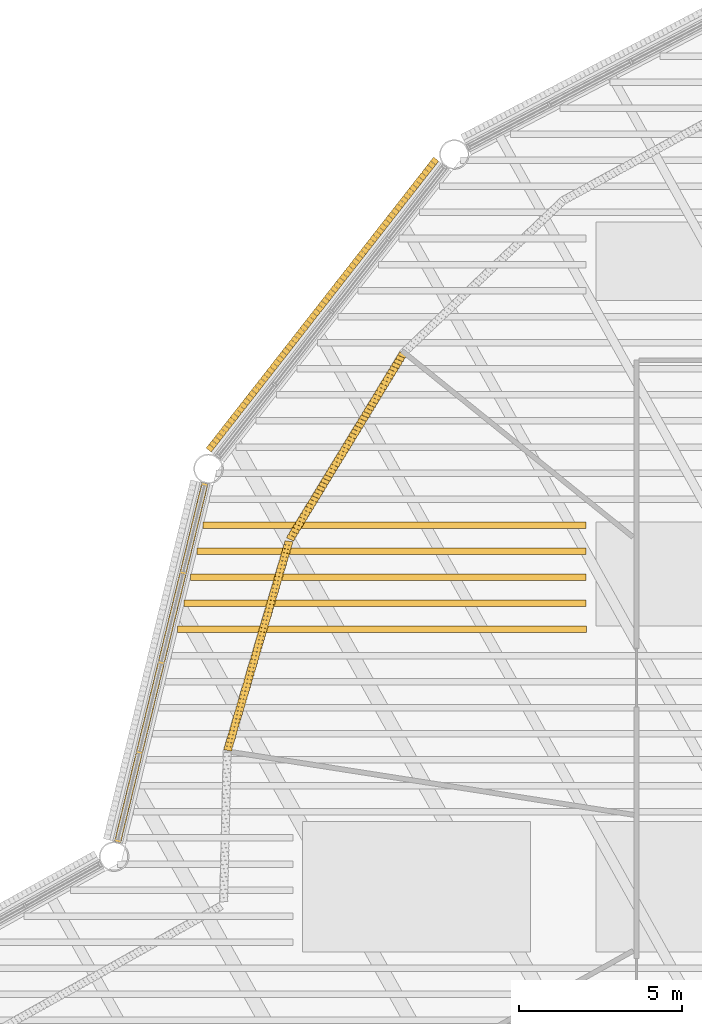
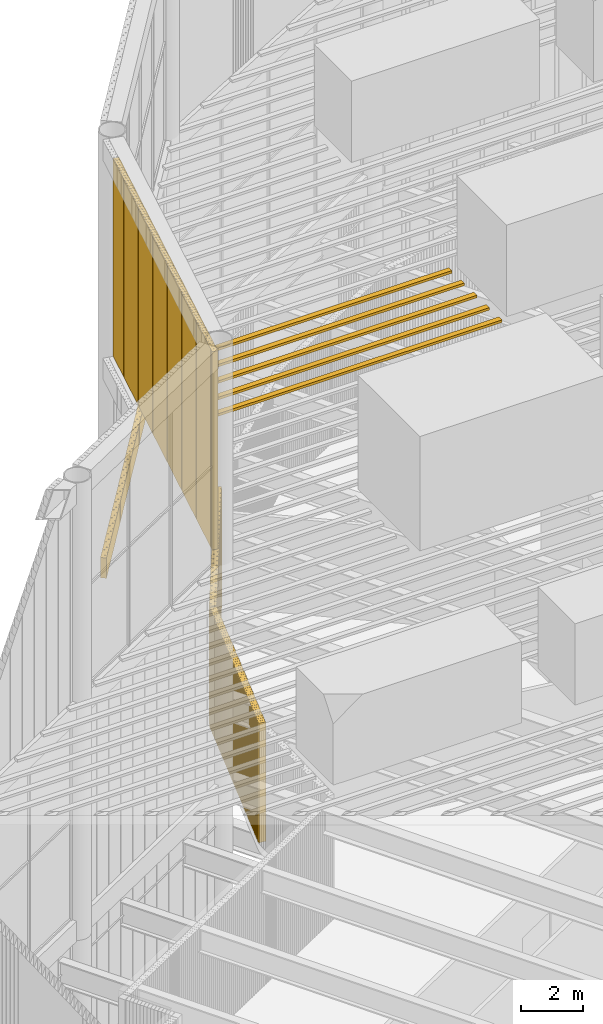
# One storey, part 101 of 117: 7 shading devices, 2 coverings.
"""IFC4 building model written with IfcOpenShell, lengths in metres."""

from ifc_helpers import new_model, si_unit, direction, frame, frame_2d, origin, origin_2d, place, context, subcontext, project, spatial, rectangle, composite_profile, extrude, material, type_object, element, save


model = new_model("IFC4")

# Units and contexts
model_context = context("Model", 3, precision=1e-05, world=origin(), true_north=direction((0.0, 1.0)))
body_context = subcontext(model_context, "Body", "Model", "MODEL_VIEW")
ifc_project = project(units=[si_unit("LENGTHUNIT", "METRE"), si_unit("AREAUNIT", "SQUARE_METRE"), si_unit("VOLUMEUNIT", "CUBIC_METRE"), si_unit("PLANEANGLEUNIT", "RADIAN"), si_unit("MASSUNIT", "GRAM", prefix="KILO")], contexts=[model_context])

# Site, building, storey
site_placement = place(None, origin())
site = spatial("IfcSite", under=ifc_project, at=site_placement, CompositionType="ELEMENT")
building_placement = place(site_placement, origin())
building = spatial("IfcBuilding", under=site, at=building_placement, Name="Tarsis Ring Headquarters", CompositionType="ELEMENT")
storey_placement = place(building_placement, frame((0.0, 0.0, 403.60009765625)))
storey = spatial("IfcBuildingStorey", under=building, at=storey_placement, Name="L95", CompositionType="ELEMENT", Elevation=403.60009765625)

# Coverings
ifc_material_1 = material(Name="Terracotta louvre", Category="masonry")
covering_type = type_object("IfcCoveringType", Name="Crown louvre fin", PredefinedType="CLADDING", material=ifc_material_1)
covering_1_placement = place(storey_placement, frame((-19.1533203125, 22.17138671875, 5.0), z_axis=(0.0, 0.0, 1.0), x_axis=(-0.615999310746, -0.787752816249, 0.0)))
element("IfcCovering", 1, at=covering_1_placement, inside=storey, type_object=covering_type, Name="Crown louvre fascia R12", PredefinedType="CLADDING", context=body_context, shape_type="SweptSolid", body=[
    extrude(composite_profile([rectangle(XDim=0.14501953125, YDim=0.199951171875, at=frame_2d((0.072509765625, 0.0))), rectangle(XDim=0.14501953125, YDim=0.199951171875, at=frame_2d((0.2236328125, 0.0))), rectangle(XDim=0.14501953125, YDim=0.199951171875, at=frame_2d((0.375, 0.0))), rectangle(XDim=0.14501953125, YDim=0.199951171875, at=frame_2d((0.526123046875, 0.0))), rectangle(XDim=0.14501953125, YDim=0.199951171875, at=frame_2d((0.677490234375, 0.0))), rectangle(XDim=0.14501953125, YDim=0.199951171875, at=frame_2d((0.82861328125, 0.0))), rectangle(XDim=0.14501953125, YDim=0.199951171875, at=frame_2d((0.979736328125, 0.0))), rectangle(XDim=0.14501953125, YDim=0.199951171875, at=frame_2d((1.131103515625, 0.0))), rectangle(XDim=0.14501953125, YDim=0.199951171875, at=frame_2d((1.2822265625, 0.0))), rectangle(XDim=0.14501953125, YDim=0.199951171875, at=frame_2d((1.433349609375, 0.0))), rectangle(XDim=0.14501953125, YDim=0.199951171875, at=frame_2d((1.584716796875, 0.0))), rectangle(XDim=0.14501953125, YDim=0.199951171875, at=frame_2d((1.73583984375, 0.0))), rectangle(XDim=0.14501953125, YDim=0.199951171875, at=frame_2d((1.88720703125, 0.0))), rectangle(XDim=0.14501953125, YDim=0.199951171875, at=frame_2d((2.038330078125, 0.0))), rectangle(XDim=0.14501953125, YDim=0.199951171875, at=frame_2d((2.189453125, 0.0))), rectangle(XDim=0.14501953125, YDim=0.199951171875, at=frame_2d((2.3408203125, 0.0))), rectangle(XDim=0.14501953125, YDim=0.199951171875, at=frame_2d((2.491943359375, 0.0))), rectangle(XDim=0.14501953125, YDim=0.199951171875, at=frame_2d((2.64306640625, 0.0))), rectangle(XDim=0.14501953125, YDim=0.199951171875, at=frame_2d((2.79443359375, 0.0))), rectangle(XDim=0.14501953125, YDim=0.199951171875, at=frame_2d((2.945556640625, 0.0))), rectangle(XDim=0.14501953125, YDim=0.199951171875, at=frame_2d((3.096923828125, 0.0))), rectangle(XDim=0.14501953125, YDim=0.199951171875, at=frame_2d((3.248046875, 0.0))), rectangle(XDim=0.14501953125, YDim=0.199951171875, at=frame_2d((3.399169921875, 0.0))), rectangle(XDim=0.14501953125, YDim=0.199951171875, at=frame_2d((3.550537109375, 0.0))), rectangle(XDim=0.14501953125, YDim=0.199951171875, at=frame_2d((3.70166015625, 0.0))), rectangle(XDim=0.14501953125, YDim=0.199951171875, at=frame_2d((3.852783203125, 0.0))), rectangle(XDim=0.14501953125, YDim=0.199951171875, at=frame_2d((4.004150390625, 0.0))), rectangle(XDim=0.14501953125, YDim=0.199951171875, at=frame_2d((4.1552734375, 0.0))), rectangle(XDim=0.14501953125, YDim=0.199951171875, at=frame_2d((4.306640625, 0.0))), rectangle(XDim=0.14501953125, YDim=0.199951171875, at=frame_2d((4.457763671875, 0.0))), rectangle(XDim=0.14501953125, YDim=0.199951171875, at=frame_2d((4.60888671875, 0.0))), rectangle(XDim=0.14501953125, YDim=0.199951171875, at=frame_2d((4.76025390625, 0.0))), rectangle(XDim=0.14501953125, YDim=0.199951171875, at=frame_2d((4.911376953125, 0.0))), rectangle(XDim=0.14501953125, YDim=0.199951171875, at=frame_2d((5.0625, 0.0))), rectangle(XDim=0.14501953125, YDim=0.199951171875, at=frame_2d((5.2138671875, 0.0))), rectangle(XDim=0.14501953125, YDim=0.199951171875, at=frame_2d((5.364990234375, 0.0))), rectangle(XDim=0.14501953125, YDim=0.199951171875, at=frame_2d((5.516357421875, 0.0))), rectangle(XDim=0.14501953125, YDim=0.199951171875, at=frame_2d((5.66748046875, 0.0))), rectangle(XDim=0.14501953125, YDim=0.199951171875, at=frame_2d((5.818603515625, 0.0))), rectangle(XDim=0.14501953125, YDim=0.199951171875, at=frame_2d((5.969970703125, 0.0))), rectangle(XDim=0.14501953125, YDim=0.199951171875, at=frame_2d((6.12109375, 0.0))), rectangle(XDim=0.14501953125, YDim=0.199951171875, at=frame_2d((6.2724609375, 0.0))), rectangle(XDim=0.14501953125, YDim=0.199951171875, at=frame_2d((6.423583984375, 0.0))), rectangle(XDim=0.14501953125, YDim=0.199951171875, at=frame_2d((6.57470703125, 0.0))), rectangle(XDim=0.14501953125, YDim=0.199951171875, at=frame_2d((6.72607421875, 0.0))), rectangle(XDim=0.14501953125, YDim=0.199951171875, at=frame_2d((6.877197265625, 0.0))), rectangle(XDim=0.14501953125, YDim=0.199951171875, at=frame_2d((7.0283203125, 0.0))), rectangle(XDim=0.14501953125, YDim=0.199951171875, at=frame_2d((7.1796875, 0.0))), rectangle(XDim=0.14501953125, YDim=0.199951171875, at=frame_2d((7.330810546875, 0.0))), rectangle(XDim=0.14501953125, YDim=0.199951171875, at=frame_2d((7.482177734375, 0.0))), rectangle(XDim=0.14501953125, YDim=0.199951171875, at=frame_2d((7.63330078125, 0.0))), rectangle(XDim=0.14501953125, YDim=0.199951171875, at=frame_2d((7.784423828125, 0.0))), rectangle(XDim=0.14501953125, YDim=0.199951171875, at=frame_2d((7.935791015625, 0.0))), rectangle(XDim=0.14501953125, YDim=0.199951171875, at=frame_2d((8.0869140625, 0.0))), rectangle(XDim=0.14501953125, YDim=0.199951171875, at=frame_2d((8.238037109375, 0.0))), rectangle(XDim=0.14501953125, YDim=0.199951171875, at=frame_2d((8.389404296875, 0.0))), rectangle(XDim=0.14501953125, YDim=0.199951171875, at=frame_2d((8.54052734375, 0.0))), rectangle(XDim=0.14501953125, YDim=0.199951171875, at=frame_2d((8.69189453125, 0.0))), rectangle(XDim=0.14501953125, YDim=0.199951171875, at=frame_2d((8.843017578125, 0.0))), rectangle(XDim=0.14501953125, YDim=0.199951171875, at=frame_2d((8.994140625, 0.0))), rectangle(XDim=0.14501953125, YDim=0.199951171875, at=frame_2d((9.1455078125, 0.0))), rectangle(XDim=0.14501953125, YDim=0.199951171875, at=frame_2d((9.296630859375, 0.0))), rectangle(XDim=0.14501953125, YDim=0.199951171875, at=frame_2d((9.44775390625, 0.0))), rectangle(XDim=0.14501953125, YDim=0.199951171875, at=frame_2d((9.59912109375, 0.0))), rectangle(XDim=0.14501953125, YDim=0.199951171875, at=frame_2d((9.750244140625, 0.0))), rectangle(XDim=0.14501953125, YDim=0.199951171875, at=frame_2d((9.901611328125, 0.0))), rectangle(XDim=0.14501953125, YDim=0.199951171875, at=frame_2d((10.052734375, 0.0))), rectangle(XDim=0.14501953125, YDim=0.199951171875, at=frame_2d((10.203857421875, 0.0))), rectangle(XDim=0.14501953125, YDim=0.199951171875, at=frame_2d((10.355224609375, 0.0))), rectangle(XDim=0.14501953125, YDim=0.199951171875, at=frame_2d((10.50634765625, 0.0))), rectangle(XDim=0.14501953125, YDim=0.199951171875, at=frame_2d((10.657470703125, 0.0))), rectangle(XDim=0.14501953125, YDim=0.199951171875, at=frame_2d((10.808837890625, 0.0))), rectangle(XDim=0.14501953125, YDim=0.199951171875, at=frame_2d((10.9599609375, 0.0))), rectangle(XDim=0.14501953125, YDim=0.199951171875, at=frame_2d((11.111328125, 0.0))), rectangle(XDim=0.14501953125, YDim=0.199951171875, at=frame_2d((11.262451171875, 0.0)))]), origin(), (0.0, 0.0, 1.0), 0.7998046875),
])
covering_2_placement = place(storey_placement, frame((-26.24951171875, 12.22265625, 14.39990234375), z_axis=(0.0, 0.0, 1.0), x_axis=(-0.236521851509, -0.971632886036, 0.0)))
element("IfcCovering", 2, at=covering_2_placement, inside=storey, type_object=covering_type, Name="Crown louvre U13", PredefinedType="CLADDING", context=body_context, shape_type="SweptSolid", body=[
    extrude(composite_profile([rectangle(XDim=0.14501953125, YDim=0.199951171875, at=frame_2d((0.072509765625, 0.0))), rectangle(XDim=0.14501953125, YDim=0.199951171875, at=frame_2d((0.2236328125, 0.0))), rectangle(XDim=0.14501953125, YDim=0.199951171875, at=frame_2d((0.375, 0.0))), rectangle(XDim=0.14501953125, YDim=0.199951171875, at=frame_2d((0.526123046875, 0.0))), rectangle(XDim=0.14501953125, YDim=0.199951171875, at=frame_2d((0.677490234375, 0.0))), rectangle(XDim=0.14501953125, YDim=0.199951171875, at=frame_2d((0.82861328125, 0.0))), rectangle(XDim=0.14501953125, YDim=0.199951171875, at=frame_2d((0.979736328125, 0.0))), rectangle(XDim=0.14501953125, YDim=0.199951171875, at=frame_2d((1.131103515625, 0.0))), rectangle(XDim=0.14501953125, YDim=0.199951171875, at=frame_2d((1.2822265625, 0.0))), rectangle(XDim=0.14501953125, YDim=0.199951171875, at=frame_2d((1.433349609375, 0.0))), rectangle(XDim=0.14501953125, YDim=0.199951171875, at=frame_2d((1.584716796875, 0.0))), rectangle(XDim=0.14501953125, YDim=0.199951171875, at=frame_2d((1.73583984375, 0.0))), rectangle(XDim=0.14501953125, YDim=0.199951171875, at=frame_2d((1.88720703125, 0.0))), rectangle(XDim=0.14501953125, YDim=0.199951171875, at=frame_2d((2.038330078125, 0.0))), rectangle(XDim=0.14501953125, YDim=0.199951171875, at=frame_2d((2.189453125, 0.0))), rectangle(XDim=0.14501953125, YDim=0.199951171875, at=frame_2d((2.3408203125, 0.0))), rectangle(XDim=0.14501953125, YDim=0.199951171875, at=frame_2d((2.491943359375, 0.0))), rectangle(XDim=0.14501953125, YDim=0.199951171875, at=frame_2d((2.64306640625, 0.0))), rectangle(XDim=0.14501953125, YDim=0.199951171875, at=frame_2d((2.79443359375, 0.0))), rectangle(XDim=0.14501953125, YDim=0.199951171875, at=frame_2d((2.945556640625, 0.0))), rectangle(XDim=0.14501953125, YDim=0.199951171875, at=frame_2d((3.096923828125, 0.0))), rectangle(XDim=0.14501953125, YDim=0.199951171875, at=frame_2d((3.248046875, 0.0))), rectangle(XDim=0.14501953125, YDim=0.199951171875, at=frame_2d((3.399169921875, 0.0))), rectangle(XDim=0.14501953125, YDim=0.199951171875, at=frame_2d((3.550537109375, 0.0))), rectangle(XDim=0.14501953125, YDim=0.199951171875, at=frame_2d((3.70166015625, 0.0))), rectangle(XDim=0.14501953125, YDim=0.199951171875, at=frame_2d((3.852783203125, 0.0))), rectangle(XDim=0.14501953125, YDim=0.199951171875, at=frame_2d((4.004150390625, 0.0))), rectangle(XDim=0.14501953125, YDim=0.199951171875, at=frame_2d((4.1552734375, 0.0))), rectangle(XDim=0.14501953125, YDim=0.199951171875, at=frame_2d((4.306640625, 0.0))), rectangle(XDim=0.14501953125, YDim=0.199951171875, at=frame_2d((4.457763671875, 0.0))), rectangle(XDim=0.14501953125, YDim=0.199951171875, at=frame_2d((4.60888671875, 0.0))), rectangle(XDim=0.14501953125, YDim=0.199951171875, at=frame_2d((4.76025390625, 0.0))), rectangle(XDim=0.14501953125, YDim=0.199951171875, at=frame_2d((4.911376953125, 0.0))), rectangle(XDim=0.14501953125, YDim=0.199951171875, at=frame_2d((5.0625, 0.0))), rectangle(XDim=0.14501953125, YDim=0.199951171875, at=frame_2d((5.2138671875, 0.0))), rectangle(XDim=0.14501953125, YDim=0.199951171875, at=frame_2d((5.364990234375, 0.0))), rectangle(XDim=0.14501953125, YDim=0.199951171875, at=frame_2d((5.516357421875, 0.0))), rectangle(XDim=0.14501953125, YDim=0.199951171875, at=frame_2d((5.66748046875, 0.0))), rectangle(XDim=0.14501953125, YDim=0.199951171875, at=frame_2d((5.818603515625, 0.0))), rectangle(XDim=0.14501953125, YDim=0.199951171875, at=frame_2d((5.969970703125, 0.0))), rectangle(XDim=0.14501953125, YDim=0.199951171875, at=frame_2d((6.12109375, 0.0))), rectangle(XDim=0.14501953125, YDim=0.199951171875, at=frame_2d((6.2724609375, 0.0))), rectangle(XDim=0.14501953125, YDim=0.199951171875, at=frame_2d((6.423583984375, 0.0))), rectangle(XDim=0.14501953125, YDim=0.199951171875, at=frame_2d((6.57470703125, 0.0))), rectangle(XDim=0.14501953125, YDim=0.199951171875, at=frame_2d((6.72607421875, 0.0))), rectangle(XDim=0.14501953125, YDim=0.199951171875, at=frame_2d((6.877197265625, 0.0))), rectangle(XDim=0.14501953125, YDim=0.199951171875, at=frame_2d((7.0283203125, 0.0))), rectangle(XDim=0.14501953125, YDim=0.199951171875, at=frame_2d((7.1796875, 0.0))), rectangle(XDim=0.14501953125, YDim=0.199951171875, at=frame_2d((7.330810546875, 0.0))), rectangle(XDim=0.14501953125, YDim=0.199951171875, at=frame_2d((7.482177734375, 0.0))), rectangle(XDim=0.14501953125, YDim=0.199951171875, at=frame_2d((7.63330078125, 0.0))), rectangle(XDim=0.14501953125, YDim=0.199951171875, at=frame_2d((7.784423828125, 0.0))), rectangle(XDim=0.14501953125, YDim=0.199951171875, at=frame_2d((7.935791015625, 0.0))), rectangle(XDim=0.14501953125, YDim=0.199951171875, at=frame_2d((8.0869140625, 0.0))), rectangle(XDim=0.14501953125, YDim=0.199951171875, at=frame_2d((8.238037109375, 0.0))), rectangle(XDim=0.14501953125, YDim=0.199951171875, at=frame_2d((8.389404296875, 0.0))), rectangle(XDim=0.14501953125, YDim=0.199951171875, at=frame_2d((8.54052734375, 0.0))), rectangle(XDim=0.14501953125, YDim=0.199951171875, at=frame_2d((8.69189453125, 0.0))), rectangle(XDim=0.14501953125, YDim=0.199951171875, at=frame_2d((8.843017578125, 0.0))), rectangle(XDim=0.14501953125, YDim=0.199951171875, at=frame_2d((8.994140625, 0.0))), rectangle(XDim=0.14501953125, YDim=0.199951171875, at=frame_2d((9.1455078125, 0.0))), rectangle(XDim=0.14501953125, YDim=0.199951171875, at=frame_2d((9.296630859375, 0.0))), rectangle(XDim=0.14501953125, YDim=0.199951171875, at=frame_2d((9.44775390625, 0.0))), rectangle(XDim=0.14501953125, YDim=0.199951171875, at=frame_2d((9.59912109375, 0.0))), rectangle(XDim=0.14501953125, YDim=0.199951171875, at=frame_2d((9.750244140625, 0.0))), rectangle(XDim=0.14501953125, YDim=0.199951171875, at=frame_2d((9.901611328125, 0.0))), rectangle(XDim=0.14501953125, YDim=0.199951171875, at=frame_2d((10.052734375, 0.0))), rectangle(XDim=0.14501953125, YDim=0.199951171875, at=frame_2d((10.203857421875, 0.0))), rectangle(XDim=0.14501953125, YDim=0.199951171875, at=frame_2d((10.355224609375, 0.0))), rectangle(XDim=0.14501953125, YDim=0.199951171875, at=frame_2d((10.50634765625, 0.0))), rectangle(XDim=0.14501953125, YDim=0.199951171875, at=frame_2d((10.657470703125, 0.0))), rectangle(XDim=0.14501953125, YDim=0.199951171875, at=frame_2d((10.808837890625, 0.0))), rectangle(XDim=0.14501953125, YDim=0.199951171875, at=frame_2d((10.9599609375, 0.0))), rectangle(XDim=0.14501953125, YDim=0.199951171875, at=frame_2d((11.111328125, 0.0))), rectangle(XDim=0.14501953125, YDim=0.199951171875, at=frame_2d((11.262451171875, 0.0)))]), origin(), (0.0, 0.0, 1.0), 7.800048828125),
])

# Shading devices
ifc_material_2 = material(Name="Aluminium louvre", Category="aluminium")
shading_device_type_1 = type_object("IfcShadingDeviceType", Name="Crown roof louvre blade", PredefinedType="USERDEFINED", material=ifc_material_2)
shading_device_1_placement = place(storey_placement, frame((-20.8095703125, 7.73583984375, 14.39990234375), z_axis=(0.0, 0.0, 1.0), x_axis=(1.0, 0.0, 0.0)))
element("IfcShadingDevice", 3, at=shading_device_1_placement, inside=storey, type_object=shading_device_type_1, Name="Crown roof louvre 81", ObjectType="Crown roof louvre", PredefinedType="USERDEFINED", context=body_context, shape_type="SweptSolid", body=[
    extrude(rectangle(XDim=12.549560546875, YDim=0.199951171875, at=origin_2d()), origin(), (0.0, 0.0, 1.0), 0.10009765625),
])
shading_device_2_placement = place(storey_placement, frame((-20.720947265625, 8.535888671875, 14.39990234375), z_axis=(0.0, 0.0, 1.0), x_axis=(1.0, 0.0, 0.0)))
element("IfcShadingDevice", 4, at=shading_device_2_placement, inside=storey, type_object=shading_device_type_1, Name="Crown roof louvre 83", ObjectType="Crown roof louvre", PredefinedType="USERDEFINED", context=body_context, shape_type="SweptSolid", body=[
    extrude(rectangle(XDim=12.337158203125, YDim=0.199951171875, at=origin_2d()), origin(), (0.0, 0.0, 1.0), 0.10009765625),
])
shading_device_3_placement = place(storey_placement, frame((-20.62353515625, 9.335693359375, 14.39990234375), z_axis=(0.0, 0.0, 1.0), x_axis=(1.0, 0.0, 0.0)))
element("IfcShadingDevice", 5, at=shading_device_3_placement, inside=storey, type_object=shading_device_type_1, Name="Crown roof louvre 85", ObjectType="Crown roof louvre", PredefinedType="USERDEFINED", context=body_context, shape_type="SweptSolid", body=[
    extrude(rectangle(XDim=12.142578125, YDim=0.199951171875, at=origin_2d()), origin(), (0.0, 0.0, 1.0), 0.10009765625),
])
shading_device_4_placement = place(storey_placement, frame((-20.5263671875, 10.1357421875, 14.39990234375), z_axis=(0.0, 0.0, 1.0), x_axis=(1.0, 0.0, 0.0)))
element("IfcShadingDevice", 6, at=shading_device_4_placement, inside=storey, type_object=shading_device_type_1, Name="Crown roof louvre 87", ObjectType="Crown roof louvre", PredefinedType="USERDEFINED", context=body_context, shape_type="SweptSolid", body=[
    extrude(rectangle(XDim=11.94775390625, YDim=0.199951171875, at=origin_2d()), origin(), (0.0, 0.0, 1.0), 0.10009765625),
])
shading_device_5_placement = place(storey_placement, frame((-20.428955078125, 10.935791015625, 14.39990234375), z_axis=(0.0, 0.0, 1.0), x_axis=(1.0, 0.0, 0.0)))
element("IfcShadingDevice", 7, at=shading_device_5_placement, inside=storey, type_object=shading_device_type_1, Name="Crown roof louvre 89", ObjectType="Crown roof louvre", PredefinedType="USERDEFINED", context=body_context, shape_type="SweptSolid", body=[
    extrude(rectangle(XDim=11.7529296875, YDim=0.199951171875, at=origin_2d()), origin(), (0.0, 0.0, 1.0), 0.10009765625),
])
shading_device_type_2 = type_object("IfcShadingDeviceType", Name="Plant louvre fin", PredefinedType="USERDEFINED", material=ifc_material_2)
shading_device_6_placement = place(storey_placement, frame((-20.150390625, 16.226806640625, 0.0), z_axis=(0.0, 0.0, 1.0), x_axis=(-0.520703181752, -0.85373383699, 0.0)))
element("IfcShadingDevice", 8, at=shading_device_6_placement, inside=storey, type_object=shading_device_type_2, Name="Louvre L95-28", ObjectType="Louvre", PredefinedType="USERDEFINED", context=body_context, shape_type="SweptSolid", body=[
    extrude(composite_profile([rectangle(XDim=0.1201171875, YDim=0.239990234375, at=frame_2d((0.076171875, 0.0), x_axis=(0.990268068742, 0.13917310096))), rectangle(XDim=0.1201171875, YDim=0.239990234375, at=frame_2d((0.202392578125, 0.0), x_axis=(0.990268068742, 0.13917310096))), rectangle(XDim=0.1201171875, YDim=0.239990234375, at=frame_2d((0.328857421875, 0.0), x_axis=(0.990268068742, 0.13917310096))), rectangle(XDim=0.1201171875, YDim=0.239990234375, at=frame_2d((0.455078125, 0.0), x_axis=(0.990268068742, 0.13917310096))), rectangle(XDim=0.1201171875, YDim=0.239990234375, at=frame_2d((0.58154296875, 0.0), x_axis=(0.990268068742, 0.13917310096))), rectangle(XDim=0.1201171875, YDim=0.239990234375, at=frame_2d((0.707763671875, 0.0), x_axis=(0.990268068742, 0.13917310096))), rectangle(XDim=0.1201171875, YDim=0.239990234375, at=frame_2d((0.834228515625, 0.0), x_axis=(0.990268068742, 0.13917310096))), rectangle(XDim=0.1201171875, YDim=0.239990234375, at=frame_2d((0.96044921875, 0.0), x_axis=(0.990268068742, 0.13917310096))), rectangle(XDim=0.1201171875, YDim=0.239990234375, at=frame_2d((1.0869140625, 0.0), x_axis=(0.990268068742, 0.13917310096))), rectangle(XDim=0.1201171875, YDim=0.239990234375, at=frame_2d((1.213134765625, 0.0), x_axis=(0.990268068742, 0.13917310096))), rectangle(XDim=0.1201171875, YDim=0.239990234375, at=frame_2d((1.339599609375, 0.0), x_axis=(0.990268068742, 0.13917310096))), rectangle(XDim=0.1201171875, YDim=0.239990234375, at=frame_2d((1.4658203125, 0.0), x_axis=(0.990268068742, 0.13917310096))), rectangle(XDim=0.1201171875, YDim=0.239990234375, at=frame_2d((1.59228515625, 0.0), x_axis=(0.990268068742, 0.13917310096))), rectangle(XDim=0.1201171875, YDim=0.239990234375, at=frame_2d((1.718505859375, 0.0), x_axis=(0.990268068742, 0.13917310096))), rectangle(XDim=0.1201171875, YDim=0.239990234375, at=frame_2d((1.8447265625, 0.0), x_axis=(0.990268068742, 0.13917310096))), rectangle(XDim=0.1201171875, YDim=0.239990234375, at=frame_2d((1.97119140625, 0.0), x_axis=(0.990268068742, 0.13917310096))), rectangle(XDim=0.1201171875, YDim=0.239990234375, at=frame_2d((2.097412109375, 0.0), x_axis=(0.990268068742, 0.13917310096))), rectangle(XDim=0.1201171875, YDim=0.239990234375, at=frame_2d((2.223876953125, 0.0), x_axis=(0.990268068742, 0.13917310096))), rectangle(XDim=0.1201171875, YDim=0.239990234375, at=frame_2d((2.35009765625, 0.0), x_axis=(0.990268068742, 0.13917310096))), rectangle(XDim=0.1201171875, YDim=0.239990234375, at=frame_2d((2.4765625, 0.0), x_axis=(0.990268068742, 0.13917310096))), rectangle(XDim=0.1201171875, YDim=0.239990234375, at=frame_2d((2.602783203125, 0.0), x_axis=(0.990268068742, 0.13917310096))), rectangle(XDim=0.1201171875, YDim=0.239990234375, at=frame_2d((2.729248046875, 0.0), x_axis=(0.990268068742, 0.13917310096))), rectangle(XDim=0.1201171875, YDim=0.239990234375, at=frame_2d((2.85546875, 0.0), x_axis=(0.990268068742, 0.13917310096))), rectangle(XDim=0.1201171875, YDim=0.239990234375, at=frame_2d((2.98193359375, 0.0), x_axis=(0.990268068742, 0.13917310096))), rectangle(XDim=0.1201171875, YDim=0.239990234375, at=frame_2d((3.108154296875, 0.0), x_axis=(0.990268068742, 0.13917310096))), rectangle(XDim=0.1201171875, YDim=0.239990234375, at=frame_2d((3.234619140625, 0.0), x_axis=(0.990268068742, 0.13917310096))), rectangle(XDim=0.1201171875, YDim=0.239990234375, at=frame_2d((3.36083984375, 0.0), x_axis=(0.990268068742, 0.13917310096))), rectangle(XDim=0.1201171875, YDim=0.239990234375, at=frame_2d((3.487060546875, 0.0), x_axis=(0.990268068742, 0.13917310096))), rectangle(XDim=0.1201171875, YDim=0.239990234375, at=frame_2d((3.613525390625, 0.0), x_axis=(0.990268068742, 0.13917310096))), rectangle(XDim=0.1201171875, YDim=0.239990234375, at=frame_2d((3.73974609375, 0.0), x_axis=(0.990268068742, 0.13917310096))), rectangle(XDim=0.1201171875, YDim=0.239990234375, at=frame_2d((3.8662109375, 0.0), x_axis=(0.990268068742, 0.13917310096))), rectangle(XDim=0.1201171875, YDim=0.239990234375, at=frame_2d((3.992431640625, 0.0), x_axis=(0.990268068742, 0.13917310096))), rectangle(XDim=0.1201171875, YDim=0.239990234375, at=frame_2d((4.118896484375, 0.0), x_axis=(0.990268068742, 0.13917310096))), rectangle(XDim=0.1201171875, YDim=0.239990234375, at=frame_2d((4.2451171875, 0.0), x_axis=(0.990268068742, 0.13917310096))), rectangle(XDim=0.1201171875, YDim=0.239990234375, at=frame_2d((4.37158203125, 0.0), x_axis=(0.990268068742, 0.13917310096))), rectangle(XDim=0.1201171875, YDim=0.239990234375, at=frame_2d((4.497802734375, 0.0), x_axis=(0.990268068742, 0.13917310096))), rectangle(XDim=0.1201171875, YDim=0.239990234375, at=frame_2d((4.624267578125, 0.0), x_axis=(0.990268068742, 0.13917310096))), rectangle(XDim=0.1201171875, YDim=0.239990234375, at=frame_2d((4.75048828125, 0.0), x_axis=(0.990268068742, 0.13917310096))), rectangle(XDim=0.1201171875, YDim=0.239990234375, at=frame_2d((4.876953125, 0.0), x_axis=(0.990268068742, 0.13917310096))), rectangle(XDim=0.1201171875, YDim=0.239990234375, at=frame_2d((5.003173828125, 0.0), x_axis=(0.990268068742, 0.13917310096))), rectangle(XDim=0.1201171875, YDim=0.239990234375, at=frame_2d((5.12939453125, 0.0), x_axis=(0.990268068742, 0.13917310096))), rectangle(XDim=0.1201171875, YDim=0.239990234375, at=frame_2d((5.255859375, 0.0), x_axis=(0.990268068742, 0.13917310096))), rectangle(XDim=0.1201171875, YDim=0.239990234375, at=frame_2d((5.382080078125, 0.0), x_axis=(0.990268068742, 0.13917310096))), rectangle(XDim=0.1201171875, YDim=0.239990234375, at=frame_2d((5.508544921875, 0.0), x_axis=(0.990268068742, 0.13917310096))), rectangle(XDim=0.1201171875, YDim=0.239990234375, at=frame_2d((5.634765625, 0.0), x_axis=(0.990268068742, 0.13917310096))), rectangle(XDim=0.1201171875, YDim=0.239990234375, at=frame_2d((5.76123046875, 0.0), x_axis=(0.990268068742, 0.13917310096))), rectangle(XDim=0.1201171875, YDim=0.239990234375, at=frame_2d((5.887451171875, 0.0), x_axis=(0.990268068742, 0.13917310096))), rectangle(XDim=0.1201171875, YDim=0.239990234375, at=frame_2d((6.013916015625, 0.0), x_axis=(0.990268068742, 0.13917310096))), rectangle(XDim=0.1201171875, YDim=0.239990234375, at=frame_2d((6.14013671875, 0.0), x_axis=(0.990268068742, 0.13917310096))), rectangle(XDim=0.1201171875, YDim=0.239990234375, at=frame_2d((6.2666015625, 0.0), x_axis=(0.990268068742, 0.13917310096))), rectangle(XDim=0.1201171875, YDim=0.239990234375, at=frame_2d((6.392822265625, 0.0), x_axis=(0.990268068742, 0.13917310096))), rectangle(XDim=0.1201171875, YDim=0.239990234375, at=frame_2d((6.519287109375, 0.0), x_axis=(0.990268068742, 0.13917310096))), rectangle(XDim=0.1201171875, YDim=0.239990234375, at=frame_2d((6.6455078125, 0.0), x_axis=(0.990268068742, 0.13917310096)))]), origin(), (0.0, 0.0, 1.0), 4.699951171875),
])
shading_device_7_placement = place(storey_placement, frame((-23.66357421875, 10.45849609375, 0.0), z_axis=(0.0, 0.0, 1.0), x_axis=(-0.282009371254, -0.959427554393, 0.0)))
element("IfcShadingDevice", 9, at=shading_device_7_placement, inside=storey, type_object=shading_device_type_2, Name="Louvre L95-29", ObjectType="Louvre", PredefinedType="USERDEFINED", context=body_context, shape_type="SweptSolid", body=[
    extrude(composite_profile([rectangle(XDim=0.1201171875, YDim=0.239990234375, at=frame_2d((0.076171875, 0.0), x_axis=(0.990268068742, 0.13917310096))), rectangle(XDim=0.1201171875, YDim=0.239990234375, at=frame_2d((0.202392578125, 0.0), x_axis=(0.990268068742, 0.13917310096))), rectangle(XDim=0.1201171875, YDim=0.239990234375, at=frame_2d((0.328857421875, 0.0), x_axis=(0.990268068742, 0.13917310096))), rectangle(XDim=0.1201171875, YDim=0.239990234375, at=frame_2d((0.455078125, 0.0), x_axis=(0.990268068742, 0.13917310096))), rectangle(XDim=0.1201171875, YDim=0.239990234375, at=frame_2d((0.58154296875, 0.0), x_axis=(0.990268068742, 0.13917310096))), rectangle(XDim=0.1201171875, YDim=0.239990234375, at=frame_2d((0.707763671875, 0.0), x_axis=(0.990268068742, 0.13917310096))), rectangle(XDim=0.1201171875, YDim=0.239990234375, at=frame_2d((0.834228515625, 0.0), x_axis=(0.990268068742, 0.13917310096))), rectangle(XDim=0.1201171875, YDim=0.239990234375, at=frame_2d((0.96044921875, 0.0), x_axis=(0.990268068742, 0.13917310096))), rectangle(XDim=0.1201171875, YDim=0.239990234375, at=frame_2d((1.0869140625, 0.0), x_axis=(0.990268068742, 0.13917310096))), rectangle(XDim=0.1201171875, YDim=0.239990234375, at=frame_2d((1.213134765625, 0.0), x_axis=(0.990268068742, 0.13917310096))), rectangle(XDim=0.1201171875, YDim=0.239990234375, at=frame_2d((1.33935546875, 0.0), x_axis=(0.990268068742, 0.13917310096))), rectangle(XDim=0.1201171875, YDim=0.239990234375, at=frame_2d((1.4658203125, 0.0), x_axis=(0.990268068742, 0.13917310096))), rectangle(XDim=0.1201171875, YDim=0.239990234375, at=frame_2d((1.592041015625, 0.0), x_axis=(0.990268068742, 0.13917310096))), rectangle(XDim=0.1201171875, YDim=0.239990234375, at=frame_2d((1.718505859375, 0.0), x_axis=(0.990268068742, 0.13917310096))), rectangle(XDim=0.1201171875, YDim=0.239990234375, at=frame_2d((1.8447265625, 0.0), x_axis=(0.990268068742, 0.13917310096))), rectangle(XDim=0.1201171875, YDim=0.239990234375, at=frame_2d((1.97119140625, 0.0), x_axis=(0.990268068742, 0.13917310096))), rectangle(XDim=0.1201171875, YDim=0.239990234375, at=frame_2d((2.097412109375, 0.0), x_axis=(0.990268068742, 0.13917310096))), rectangle(XDim=0.1201171875, YDim=0.239990234375, at=frame_2d((2.223876953125, 0.0), x_axis=(0.990268068742, 0.13917310096))), rectangle(XDim=0.1201171875, YDim=0.239990234375, at=frame_2d((2.35009765625, 0.0), x_axis=(0.990268068742, 0.13917310096))), rectangle(XDim=0.1201171875, YDim=0.239990234375, at=frame_2d((2.476318359375, 0.0), x_axis=(0.990268068742, 0.13917310096))), rectangle(XDim=0.1201171875, YDim=0.239990234375, at=frame_2d((2.602783203125, 0.0), x_axis=(0.990268068742, 0.13917310096))), rectangle(XDim=0.1201171875, YDim=0.239990234375, at=frame_2d((2.72900390625, 0.0), x_axis=(0.990268068742, 0.13917310096))), rectangle(XDim=0.1201171875, YDim=0.239990234375, at=frame_2d((2.85546875, 0.0), x_axis=(0.990268068742, 0.13917310096))), rectangle(XDim=0.1201171875, YDim=0.239990234375, at=frame_2d((2.981689453125, 0.0), x_axis=(0.990268068742, 0.13917310096))), rectangle(XDim=0.1201171875, YDim=0.239990234375, at=frame_2d((3.108154296875, 0.0), x_axis=(0.990268068742, 0.13917310096))), rectangle(XDim=0.1201171875, YDim=0.239990234375, at=frame_2d((3.234375, 0.0), x_axis=(0.990268068742, 0.13917310096))), rectangle(XDim=0.1201171875, YDim=0.239990234375, at=frame_2d((3.36083984375, 0.0), x_axis=(0.990268068742, 0.13917310096))), rectangle(XDim=0.1201171875, YDim=0.239990234375, at=frame_2d((3.487060546875, 0.0), x_axis=(0.990268068742, 0.13917310096))), rectangle(XDim=0.1201171875, YDim=0.239990234375, at=frame_2d((3.61328125, 0.0), x_axis=(0.990268068742, 0.13917310096))), rectangle(XDim=0.1201171875, YDim=0.239990234375, at=frame_2d((3.73974609375, 0.0), x_axis=(0.990268068742, 0.13917310096))), rectangle(XDim=0.1201171875, YDim=0.239990234375, at=frame_2d((3.865966796875, 0.0), x_axis=(0.990268068742, 0.13917310096))), rectangle(XDim=0.1201171875, YDim=0.239990234375, at=frame_2d((3.992431640625, 0.0), x_axis=(0.990268068742, 0.13917310096))), rectangle(XDim=0.1201171875, YDim=0.239990234375, at=frame_2d((4.11865234375, 0.0), x_axis=(0.990268068742, 0.13917310096))), rectangle(XDim=0.1201171875, YDim=0.239990234375, at=frame_2d((4.2451171875, 0.0), x_axis=(0.990268068742, 0.13917310096))), rectangle(XDim=0.1201171875, YDim=0.239990234375, at=frame_2d((4.371337890625, 0.0), x_axis=(0.990268068742, 0.13917310096))), rectangle(XDim=0.1201171875, YDim=0.239990234375, at=frame_2d((4.49755859375, 0.0), x_axis=(0.990268068742, 0.13917310096))), rectangle(XDim=0.1201171875, YDim=0.239990234375, at=frame_2d((4.6240234375, 0.0), x_axis=(0.990268068742, 0.13917310096))), rectangle(XDim=0.1201171875, YDim=0.239990234375, at=frame_2d((4.750244140625, 0.0), x_axis=(0.990268068742, 0.13917310096))), rectangle(XDim=0.1201171875, YDim=0.239990234375, at=frame_2d((4.876708984375, 0.0), x_axis=(0.990268068742, 0.13917310096))), rectangle(XDim=0.1201171875, YDim=0.239990234375, at=frame_2d((5.0029296875, 0.0), x_axis=(0.990268068742, 0.13917310096))), rectangle(XDim=0.1201171875, YDim=0.239990234375, at=frame_2d((5.12939453125, 0.0), x_axis=(0.990268068742, 0.13917310096))), rectangle(XDim=0.1201171875, YDim=0.239990234375, at=frame_2d((5.255615234375, 0.0), x_axis=(0.990268068742, 0.13917310096))), rectangle(XDim=0.1201171875, YDim=0.239990234375, at=frame_2d((5.382080078125, 0.0), x_axis=(0.990268068742, 0.13917310096))), rectangle(XDim=0.1201171875, YDim=0.239990234375, at=frame_2d((5.50830078125, 0.0), x_axis=(0.990268068742, 0.13917310096))), rectangle(XDim=0.1201171875, YDim=0.239990234375, at=frame_2d((5.634521484375, 0.0), x_axis=(0.990268068742, 0.13917310096))), rectangle(XDim=0.1201171875, YDim=0.239990234375, at=frame_2d((5.760986328125, 0.0), x_axis=(0.990268068742, 0.13917310096))), rectangle(XDim=0.1201171875, YDim=0.239990234375, at=frame_2d((5.88720703125, 0.0), x_axis=(0.990268068742, 0.13917310096))), rectangle(XDim=0.1201171875, YDim=0.239990234375, at=frame_2d((6.013671875, 0.0), x_axis=(0.990268068742, 0.13917310096))), rectangle(XDim=0.1201171875, YDim=0.239990234375, at=frame_2d((6.139892578125, 0.0), x_axis=(0.990268068742, 0.13917310096))), rectangle(XDim=0.1201171875, YDim=0.239990234375, at=frame_2d((6.266357421875, 0.0), x_axis=(0.990268068742, 0.13917310096))), rectangle(XDim=0.1201171875, YDim=0.239990234375, at=frame_2d((6.392578125, 0.0), x_axis=(0.990268068742, 0.13917310096))), rectangle(XDim=0.1201171875, YDim=0.239990234375, at=frame_2d((6.51904296875, 0.0), x_axis=(0.990268068742, 0.13917310096))), rectangle(XDim=0.1201171875, YDim=0.239990234375, at=frame_2d((6.645263671875, 0.0), x_axis=(0.990268068742, 0.13917310096)))]), origin(), (0.0, 0.0, 1.0), 4.699951171875),
])

save(model, "model.ifc")
